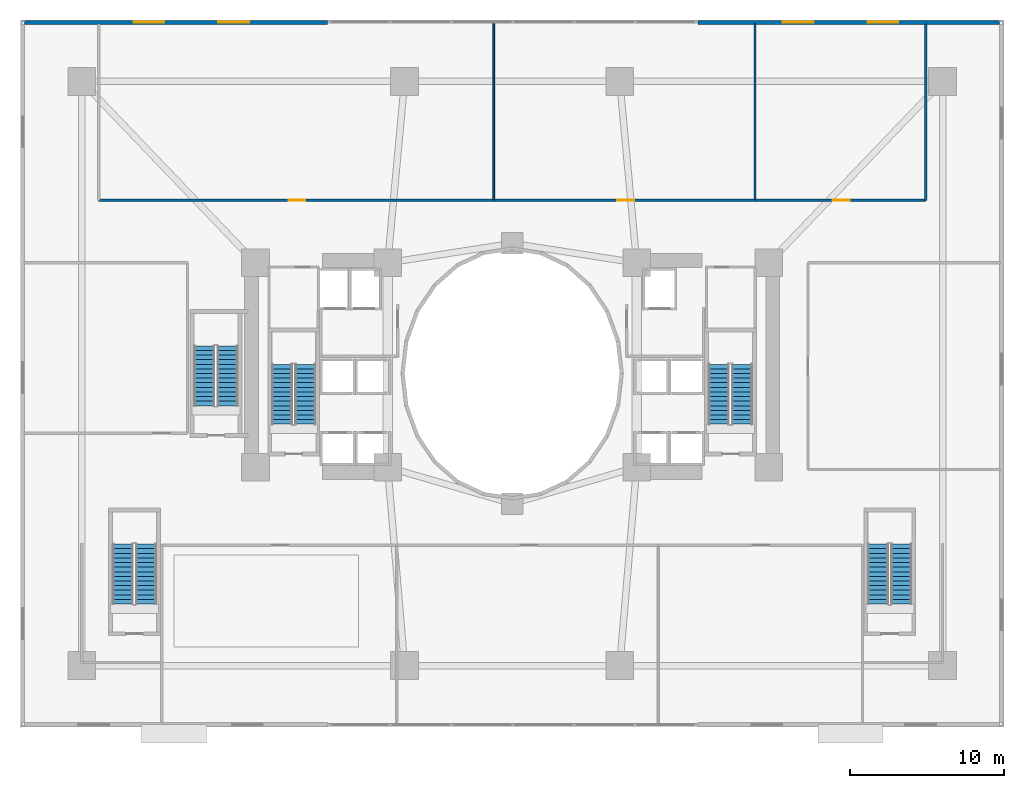
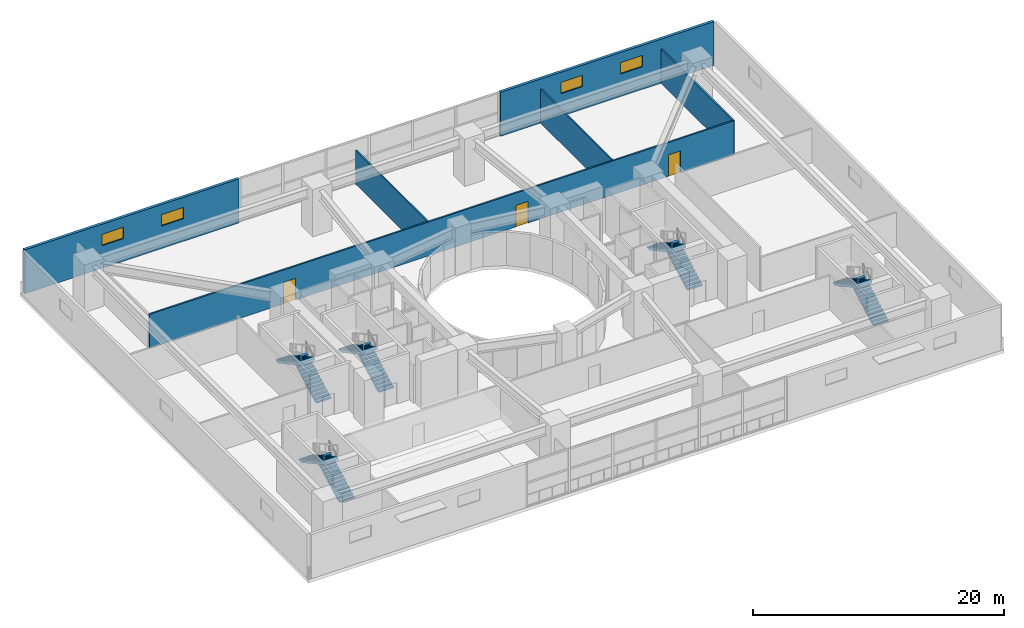
# One storey, part 14 of 20: 10 stair flights, 6 walls, 4 windows, 3 doors, 7 openings, 5 elements without a shape of their own.
"""IFC4 building model written with IfcOpenShell, lengths in metres."""

import ifcopenshell
import ifcopenshell.guid

model = None  # the IFC model being written
_history = None  # IfcOwnerHistory: only IFC2X3 demands one
_inside = {}  # id of a spatial element -> (the spatial element, [elements in it])
_under = {}  # id of a project, library or spatial element -> (it, [spatial elements below it])
_declared = {}  # id of a project -> (the project, [libraries it declares])
_typed = {}  # id of a type object -> (the type object, [elements of that type])
_made_of = {}  # id of a material, layer set ... -> (it, [elements and type objects made of it])


def new_model(schema):
    """Start an empty IFC model of exactly this schema.

    Asked for "IFC4X3", IfcOpenShell would pick the latest addendum, in which some entities
    have other attributes; the version numbers below select the first issue.
    IFC2X3 requires an IfcOwnerHistory on every rooted entity: one is made here for all.
    """
    global model, _history
    if schema == "IFC4X3":
        model = ifcopenshell.file(schema_version=(4, 3, 0, 0))
    else:
        model = ifcopenshell.file(schema=schema)
    _inside.clear()
    _under.clear()
    _declared.clear()
    _typed.clear()
    _made_of.clear()
    _history = None
    if model.schema == "IFC2X3":
        org = make("IfcOrganization", Name="unknown")
        user = make(
            "IfcPersonAndOrganization",
            ThePerson=make("IfcPerson", FamilyName="unknown"),
            TheOrganization=org,
        )
        app = make(
            "IfcApplication",
            ApplicationDeveloper=org,
            Version="unknown",
            ApplicationFullName="unknown",
            ApplicationIdentifier="unknown",
        )
        _history = make(
            "IfcOwnerHistory",
            OwningUser=user,
            OwningApplication=app,
            ChangeAction="ADDED",
            CreationDate=0,
        )
    return model


def make(cls, **values):
    """One entity of the class cls with the attributes given. An attribute that is None is left unset."""
    return model.create_entity(
        cls, **{name: value for name, value in values.items() if value is not None}
    )


def rooted(cls, **values):
    """An entity with a GlobalId (a new one), such as an element, a storey or a relation."""
    return make(cls, GlobalId=ifcopenshell.guid.new(), OwnerHistory=_history, **values)


def si_unit(unit_type, name, prefix=None):
    """IfcSIUnit, for example si_unit("LENGTHUNIT", "METRE", prefix="MILLI")."""
    return make("IfcSIUnit", UnitType=unit_type, Prefix=prefix, Name=name)


def assignment(units):
    """IfcUnitAssignment: the units of a project."""
    return None if units is None else make("IfcUnitAssignment", Units=units)


def point(xyz):
    """IfcCartesianPoint."""
    return None if xyz is None else make("IfcCartesianPoint", Coordinates=xyz)


def direction(xyz):
    """IfcDirection."""
    return None if xyz is None else make("IfcDirection", DirectionRatios=xyz)


def frame(location, z_axis=None, x_axis=None):
    """IfcAxis2Placement3D, a coordinate frame: its origin and axes. An axis left out is left unset."""
    return make(
        "IfcAxis2Placement3D",
        Location=point(location),
        Axis=direction(z_axis),
        RefDirection=direction(x_axis),
    )


def frame_2d(location, x_axis=None):
    """IfcAxis2Placement2D, a coordinate frame in the plane: its origin and x axis."""
    return make(
        "IfcAxis2Placement2D", Location=point(location), RefDirection=direction(x_axis)
    )


def origin():
    """The frame at (0, 0, 0) with its axes left unset."""
    return frame((0.0, 0.0, 0.0))


def place(relative_to, where):
    """IfcLocalPlacement: puts the frame where relative to a parent placement (None: the world)."""
    return make(
        "IfcLocalPlacement", PlacementRelTo=relative_to, RelativePlacement=where
    )


def context(
    kind, dimensions, precision=None, world=None, true_north=None, identifier=None
):
    """IfcGeometricRepresentationContext, for example the 3D "Model" context."""
    return make(
        "IfcGeometricRepresentationContext",
        ContextIdentifier=identifier,
        ContextType=kind,
        CoordinateSpaceDimension=dimensions,
        Precision=precision,
        WorldCoordinateSystem=world,
        TrueNorth=true_north,
    )


def subcontext(parent, identifier, kind, view, scale=None):
    """IfcGeometricRepresentationSubContext, for example "Body" below "Model"."""
    return make(
        "IfcGeometricRepresentationSubContext",
        ContextIdentifier=identifier,
        ContextType=kind,
        ParentContext=parent,
        TargetScale=scale,
        TargetView=view,
    )


def project(units=None, contexts=None):
    """IfcProject with its units and contexts."""
    return rooted(
        "IfcProject",
        Name="project",
        RepresentationContexts=contexts,
        UnitsInContext=assignment(units),
    )


def spatial(cls, under=None, at=None, **own):
    """A site, building, storey or space (cls), placed at a placement, below another one or the project."""
    s = rooted(cls, ObjectPlacement=at, **own)
    if under is not None:
        _under.setdefault(under.id(), (under, []))[1].append(s)
    return s


def polyline(points):
    """IfcPolyline through the points."""
    return make("IfcPolyline", Points=[point(p) for p in points])


def profile(cls, at=None, kind="AREA", **sizes):
    """A parametric profile (cls). Its sizes go by their IFC names, for example OverallWidth=200.0."""
    return make(cls, ProfileType=kind, Position=at, **sizes)


def rectangle(**sizes):
    """IfcRectangleProfileDef."""
    return profile("IfcRectangleProfileDef", **sizes)


def outline(outer, holes=None, kind="AREA"):
    """IfcArbitraryClosedProfileDef: a profile drawn as a closed curve; with holes, ...WithVoids."""
    if holes is None:
        return make("IfcArbitraryClosedProfileDef", ProfileType=kind, OuterCurve=outer)
    return make(
        "IfcArbitraryProfileDefWithVoids",
        ProfileType=kind,
        OuterCurve=outer,
        InnerCurves=holes,
    )


def extrude(swept, where, along, depth):
    """IfcExtrudedAreaSolid: the profile swept, set in the frame where, extruded along a direction by depth."""
    return make(
        "IfcExtrudedAreaSolid",
        SweptArea=swept,
        Position=where,
        ExtrudedDirection=direction(along),
        Depth=depth,
    )


def shape(context_of_items, identifier, shape_type, items):
    """IfcShapeRepresentation: the items that make up one representation, for example the "Body"."""
    return make(
        "IfcShapeRepresentation",
        ContextOfItems=context_of_items,
        RepresentationIdentifier=identifier,
        RepresentationType=shape_type,
        Items=items,
    )


def material(Name=None, Category=None):
    """IfcMaterial."""
    return make("IfcMaterial", Name=Name, Category=Category)


def layer(
    of_material, thickness, ventilated=None, Name=None, Category=None, Priority=None
):
    """IfcMaterialLayer: one layer of a wall or slab, of a material (None: an air gap)."""
    return make(
        "IfcMaterialLayer",
        Material=of_material,
        LayerThickness=thickness,
        IsVentilated=ventilated,
        Name=Name,
        Category=Category,
        Priority=Priority,
    )


def layer_set(layers, Name=None):
    """IfcMaterialLayerSet."""
    return make("IfcMaterialLayerSet", MaterialLayers=layers, LayerSetName=Name)


def made_of(thing, what):
    """Note that an element or type object is made of a material, layer set ...; save() writes the relation."""
    if what is not None:
        _made_of.setdefault(what.id(), (what, []))[1].append(thing)
    return thing


def type_object(cls, material=None, **own):
    """A type object (cls), such as IfcWallType, which elements share."""
    return made_of(rooted(cls, **own), material)


def element(
    cls,
    number,
    at=None,
    inside=None,
    cuts=None,
    type_object=None,
    material=None,
    context=None,
    identifier="Body",
    shape_type=None,
    held_by="IfcProductDefinitionShape",
    body=None,
    shapes=None,
    **own,
):
    """One element of the class cls, such as IfcWall. Its Tag is "e" and its number.

    at: its placement. inside: the storey or other place that contains it. cuts: it is an
    opening in that element (IfcRelVoidsElement). A single representation is given by context,
    identifier, shape_type and body (its items); several are given by shapes. held_by: the class
    of the entity that holds the representations. save() writes the other relations.
    """
    e = rooted(cls, Tag="e%d" % number, ObjectPlacement=at, **own)
    if body is not None:
        shapes = [shape(context, identifier, shape_type, body)]
    if shapes is not None:
        e.Representation = make(held_by, Representations=shapes)
    if inside is not None:
        _inside.setdefault(inside.id(), (inside, []))[1].append(e)
    if cuts is not None:
        rooted(
            "IfcRelVoidsElement", RelatingBuildingElement=cuts, RelatedOpeningElement=e
        )
    if type_object is not None:
        _typed.setdefault(type_object.id(), (type_object, []))[1].append(e)
    return made_of(e, material)


def fill(opening, filler):
    """IfcRelFillsElement: the door or window that sits in an opening."""
    return rooted(
        "IfcRelFillsElement",
        RelatingOpeningElement=opening,
        RelatedBuildingElement=filler,
    )


def aggregate(whole, parts):
    """IfcRelAggregates: a whole, such as a stair, and the parts it consists of."""
    return rooted("IfcRelAggregates", RelatingObject=whole, RelatedObjects=parts)


def save(model, path):
    """Write the relations noted so far, then the file.

    IfcRelAggregates (storeys below a building ...), IfcRelContainedInSpatialStructure (elements
    in a storey), IfcRelDefinesByType, IfcRelAssociatesMaterial and IfcRelDeclares: one each for
    every whole, place, type object, material and project.
    """
    for whole, parts in _under.values():
        aggregate(whole, parts)
    for where, things in _inside.values():
        rooted(
            "IfcRelContainedInSpatialStructure",
            RelatedElements=things,
            RelatingStructure=where,
        )
    for kind, things in _typed.values():
        rooted("IfcRelDefinesByType", RelatedObjects=things, RelatingType=kind)
    for what, things in _made_of.values():
        rooted("IfcRelAssociatesMaterial", RelatedObjects=things, RelatingMaterial=what)
    for by, libraries in _declared.values():
        rooted("IfcRelDeclares", RelatingContext=by, RelatedDefinitions=libraries)
    model.write(path)


model = new_model("IFC4")

# Units and contexts
model_context = context("Model", 3, precision=1e-05, world=origin(), true_north=direction((0.0, 1.0)))
body_context = subcontext(model_context, "Body", "Model", "MODEL_VIEW")
ifc_project = project(units=[si_unit("LENGTHUNIT", "METRE"), si_unit("AREAUNIT", "SQUARE_METRE"), si_unit("VOLUMEUNIT", "CUBIC_METRE"), si_unit("PLANEANGLEUNIT", "RADIAN"), si_unit("MASSUNIT", "GRAM", prefix="KILO")], contexts=[model_context])

# Site, building, storey
site_placement = place(None, origin())
site = spatial("IfcSite", under=ifc_project, at=site_placement, CompositionType="ELEMENT")
building_placement = place(site_placement, origin())
building = spatial("IfcBuilding", under=site, at=building_placement, Name="Solvane Sanctuary Tower", CompositionType="ELEMENT")
storey_placement = place(building_placement, frame((0.0, 0.0, 9.199951171875)))
storey = spatial("IfcBuildingStorey", under=building, at=storey_placement, Name="L03", CompositionType="ELEMENT", Elevation=9.199951171875)

# Wall, openings, doors
ifc_material_1 = material(Name="Acoustic Gypsum Partition Board")
ifc_layer_1 = layer(ifc_material_1, 0.14990234375, Name="Acoustic Gypsum Partition Board")
ifc_layer_set_1 = layer_set([ifc_layer_1], Name="Acoustic Gypsum Partition Board")
wall_type_1 = type_object("IfcWallType", Name="Wall W-CORR-150", PredefinedType="PARTITIONING", material=ifc_layer_set_1)
wall_1_placement = place(storey_placement, frame((5.10009765625, 34.27001953125, 0.0), z_axis=(0.0, 0.0, 1.0), x_axis=(1.0, 0.0, 0.0)))
wall_1 = element("IfcWall", 1, at=wall_1_placement, inside=storey, type_object=wall_type_1, Name="L03 North Sanctuary Corridor Wall", PredefinedType="PARTITIONING", context=body_context, shape_type="SweptSolid", body=[
    extrude(rectangle(XDim=53.7998046875, YDim=0.14990234375, at=frame_2d((26.89990234375, 0.0))), origin(), (0.0, 0.0, 1.0), 3.300048828125),
])
opening_1_placement = place(wall_1_placement, frame((12.35009765625, 0.0, 0.0)))
opening_1 = element("IfcOpeningElement", 2, at=opening_1_placement, cuts=wall_1, Name="Opening D-L03-11", PredefinedType="OPENING", context=body_context, shape_type="SweptSolid", body=[
    extrude(rectangle(XDim=1.10009765625, YDim=2.10009765625, at=frame_2d((0.550048828125, 1.050048828125))), frame((0.0, 0.0849609375, 0.0), z_axis=(0.0, -1.0, 0.0), x_axis=(1.0, 0.0, 0.0)), (0.0, 0.0, 1.0), 0.169921875),
])
opening_2_placement = place(wall_1_placement, frame((33.75, 0.0, 0.0)))
opening_2 = element("IfcOpeningElement", 3, at=opening_2_placement, cuts=wall_1, Name="Opening D-L03-12", PredefinedType="OPENING", context=body_context, shape_type="SweptSolid", body=[
    extrude(rectangle(XDim=1.10009765625, YDim=2.10009765625, at=frame_2d((0.550048828125, 1.050048828125))), frame((0.0, 0.0849609375, 0.0), z_axis=(0.0, -1.0, 0.0), x_axis=(1.0, 0.0, 0.0)), (0.0, 0.0, 1.0), 0.169921875),
])
opening_3_placement = place(wall_1_placement, frame((47.75, 0.0, 0.0)))
opening_3 = element("IfcOpeningElement", 4, at=opening_3_placement, cuts=wall_1, Name="Opening D-L03-13", PredefinedType="OPENING", context=body_context, shape_type="SweptSolid", body=[
    extrude(rectangle(XDim=1.10009765625, YDim=2.10009765625, at=frame_2d((0.550048828125, 1.050048828125))), frame((0.0, 0.0849609375, 0.0), z_axis=(0.0, -1.0, 0.0), x_axis=(1.0, 0.0, 0.0)), (0.0, 0.0, 1.0), 0.169921875),
])
ifc_material_2 = material(Name="Architectural Stainless Steel 316", Category="steel")
door_type = type_object("IfcDoorType", Name="Door D-FFL", OperationType="NOTDEFINED", PredefinedType="DOOR", material=ifc_material_2)
door_1_placement = place(opening_1_placement, origin())
door_1 = element("IfcDoor", 5, at=door_1_placement, inside=storey, type_object=door_type, Name="L03 LIBR Hall Door", OperationType="SINGLE_SWING_LEFT", OverallHeight=2.10009765625, OverallWidth=1.10009765625, PredefinedType="DOOR", context=body_context, shape_type="SweptSolid", body=[
    extrude(rectangle(XDim=1.10009765625, YDim=2.10009765625, at=frame_2d((0.550048828125, 1.050048828125))), frame((0.0, 0.02490234375, 0.0), z_axis=(0.0, -1.0, 0.0), x_axis=(1.0, 0.0, 0.0)), (0.0, 0.0, 1.0), 0.050048828125),
])
fill(opening_1, door_1)
door_2_placement = place(opening_2_placement, origin())
door_2 = element("IfcDoor", 6, at=door_2_placement, inside=storey, type_object=door_type, Name="L03 ARCH Hall Door", OperationType="SINGLE_SWING_RIGHT", OverallHeight=2.10009765625, OverallWidth=1.10009765625, PredefinedType="DOOR", context=body_context, shape_type="SweptSolid", body=[
    extrude(rectangle(XDim=1.10009765625, YDim=2.10009765625, at=frame_2d((0.550048828125, 1.050048828125))), frame((0.0, 0.02490234375, 0.0), z_axis=(0.0, -1.0, 0.0), x_axis=(1.0, 0.0, 0.0)), (0.0, 0.0, 1.0), 0.050048828125),
])
fill(opening_2, door_2)
door_3_placement = place(opening_3_placement, origin())
door_3 = element("IfcDoor", 7, at=door_3_placement, inside=storey, type_object=door_type, Name="L03 SEMIN Hall Door", OperationType="SINGLE_SWING_LEFT", OverallHeight=2.10009765625, OverallWidth=1.10009765625, PredefinedType="DOOR", context=body_context, shape_type="SweptSolid", body=[
    extrude(rectangle(XDim=1.10009765625, YDim=2.10009765625, at=frame_2d((0.550048828125, 1.050048828125))), frame((0.0, 0.02490234375, 0.0), z_axis=(0.0, -1.0, 0.0), x_axis=(1.0, 0.0, 0.0)), (0.0, 0.0, 1.0), 0.050048828125),
])
fill(opening_3, door_3)

# Wall
wall_2_placement = place(storey_placement, frame((58.89990234375, 34.27001953125, 0.0), z_axis=(0.0, 0.0, 1.0), x_axis=(0.0, 1.0, 0.0)))
element("IfcWall", 8, at=wall_2_placement, inside=storey, type_object=wall_type_1, Name="L03 North Hall East Wall", PredefinedType="PARTITIONING", context=body_context, shape_type="SweptSolid", body=[
    extrude(rectangle(XDim=11.47998046875, YDim=0.14990234375, at=frame_2d((5.739990234375, 0.0))), origin(), (0.0, 0.0, 1.0), 3.300048828125),
])

# Wall, openings, windows
ifc_material_3 = material(Name="Precast concrete C40/50", Category="concrete")
ifc_layer_2 = layer(ifc_material_3, 0.260009765625, Name="Precast concrete C40/50")
ifc_layer_set_2 = layer_set([ifc_layer_2], Name="Precast concrete C40/50")
wall_type_2 = type_object("IfcWallType", Name="Wall W-EXT-250", PredefinedType="STANDARD", material=ifc_layer_set_2)
wall_3_placement = place(storey_placement, frame((63.719970703125, 45.85009765625, 0.0), z_axis=(0.0, 0.0, 1.0), x_axis=(-1.0, 0.0, 0.0)))
wall_3 = element("IfcWall", 9, at=wall_3_placement, inside=storey, type_object=wall_type_2, Name="L03 Podium Facade Wall N1", PredefinedType="STANDARD", context=body_context, shape_type="SweptSolid", body=[
    extrude(rectangle(XDim=19.639892578125, YDim=0.260009765625, at=frame_2d((9.81982421875, 0.0))), origin(), (0.0, 0.0, 1.0), 4.280029296875),
])
opening_4_placement = place(wall_3_placement, frame((6.60009765625, 0.0, 2.199951171875)))
opening_4 = element("IfcOpeningElement", 10, at=opening_4_placement, cuts=wall_3, Name="Opening WN-CLER-2000", PredefinedType="OPENING", context=body_context, shape_type="SweptSolid", body=[
    extrude(rectangle(XDim=2.0, YDim=1.10009765625, at=frame_2d((1.0, 0.550048828125))), frame((0.0, 0.139892578125, 0.0), z_axis=(0.0, -1.0, 0.0), x_axis=(1.0, 0.0, 0.0)), (0.0, 0.0, 1.0), 0.280029296875),
])
opening_5_placement = place(wall_3_placement, frame((12.10009765625, 0.0, 2.199951171875)))
opening_5 = element("IfcOpeningElement", 11, at=opening_5_placement, cuts=wall_3, Name="Opening WN-CLER-2000", PredefinedType="OPENING", context=body_context, shape_type="SweptSolid", body=[
    extrude(rectangle(XDim=2.0, YDim=1.10009765625, at=frame_2d((1.0, 0.550048828125))), frame((0.0, 0.139892578125, 0.0), z_axis=(0.0, -1.0, 0.0), x_axis=(1.0, 0.0, 0.0)), (0.0, 0.0, 1.0), 0.280029296875),
])
ifc_material_4 = material(Name="Dark Ceramic-Fritted Low-E Glass", Category="glass")
window_type = type_object("IfcWindowType", Name="Window WN-CLER-2000", PartitioningType="SINGLE_PANEL", PredefinedType="WINDOW", material=ifc_material_4)
window_1_placement = place(opening_4_placement, origin())
window_1 = element("IfcWindow", 12, at=window_1_placement, inside=storey, type_object=window_type, Name="L03 Podium Window N1-6", OverallHeight=1.10009765625, OverallWidth=2.0, PartitioningType="SINGLE_PANEL", PredefinedType="WINDOW", context=body_context, shape_type="SweptSolid", body=[
    extrude(rectangle(XDim=2.0, YDim=1.10009765625, at=frame_2d((1.0, 0.550048828125))), frame((0.0, 0.030029296875, 0.0), z_axis=(0.0, -1.0, 0.0), x_axis=(1.0, 0.0, 0.0)), (0.0, 0.0, 1.0), 0.06005859375),
])
fill(opening_4, window_1)
window_2_placement = place(opening_5_placement, origin())
window_2 = element("IfcWindow", 13, at=window_2_placement, inside=storey, type_object=window_type, Name="L03 Podium Window N1-12", OverallHeight=1.10009765625, OverallWidth=2.0, PartitioningType="SINGLE_PANEL", PredefinedType="WINDOW", context=body_context, shape_type="SweptSolid", body=[
    extrude(rectangle(XDim=2.0, YDim=1.10009765625, at=frame_2d((1.0, 0.550048828125))), frame((0.0, 0.030029296875, 0.0), z_axis=(0.0, -1.0, 0.0), x_axis=(1.0, 0.0, 0.0)), (0.0, 0.0, 1.0), 0.06005859375),
])
fill(opening_5, window_2)

wall_4_placement = place(storey_placement, frame((20.0, 45.85009765625, 0.0), z_axis=(0.0, 0.0, 1.0), x_axis=(-1.0, 0.0, 0.0)))
wall_4 = element("IfcWall", 14, at=wall_4_placement, inside=storey, type_object=wall_type_2, Name="L03 Podium Facade Wall N3", PredefinedType="STANDARD", context=body_context, shape_type="SweptSolid", body=[
    extrude(rectangle(XDim=19.719970703125, YDim=0.260009765625, at=frame_2d((9.85986328125, 0.0))), origin(), (0.0, 0.0, 1.0), 4.280029296875),
])
opening_6_placement = place(wall_4_placement, frame((5.1201171875, 0.0, 2.199951171875)))
opening_6 = element("IfcOpeningElement", 15, at=opening_6_placement, cuts=wall_4, Name="Opening WN-CLER-2000", PredefinedType="OPENING", context=body_context, shape_type="SweptSolid", body=[
    extrude(rectangle(XDim=2.0, YDim=1.10009765625, at=frame_2d((1.0, 0.550048828125))), frame((0.0, 0.139892578125, 0.0), z_axis=(0.0, -1.0, 0.0), x_axis=(1.0, 0.0, 0.0)), (0.0, 0.0, 1.0), 0.280029296875),
])
opening_7_placement = place(wall_4_placement, frame((10.6201171875, 0.0, 2.199951171875)))
opening_7 = element("IfcOpeningElement", 16, at=opening_7_placement, cuts=wall_4, Name="Opening WN-CLER-2000", PredefinedType="OPENING", context=body_context, shape_type="SweptSolid", body=[
    extrude(rectangle(XDim=2.0, YDim=1.10009765625, at=frame_2d((1.0, 0.550048828125))), frame((0.0, 0.139892578125, 0.0), z_axis=(0.0, -1.0, 0.0), x_axis=(1.0, 0.0, 0.0)), (0.0, 0.0, 1.0), 0.280029296875),
])
window_3_placement = place(opening_6_placement, origin())
window_3 = element("IfcWindow", 17, at=window_3_placement, inside=storey, type_object=window_type, Name="L03 Podium Window N3-5", OverallHeight=1.10009765625, OverallWidth=2.0, PartitioningType="SINGLE_PANEL", PredefinedType="WINDOW", context=body_context, shape_type="SweptSolid", body=[
    extrude(rectangle(XDim=2.0, YDim=1.10009765625, at=frame_2d((1.0, 0.550048828125))), frame((0.0, 0.030029296875, 0.0), z_axis=(0.0, -1.0, 0.0), x_axis=(1.0, 0.0, 0.0)), (0.0, 0.0, 1.0), 0.06005859375),
])
fill(opening_6, window_3)
window_4_placement = place(opening_7_placement, origin())
window_4 = element("IfcWindow", 18, at=window_4_placement, inside=storey, type_object=window_type, Name="L03 Podium Window N3-10", OverallHeight=1.10009765625, OverallWidth=2.0, PartitioningType="SINGLE_PANEL", PredefinedType="WINDOW", context=body_context, shape_type="SweptSolid", body=[
    extrude(rectangle(XDim=2.0, YDim=1.10009765625, at=frame_2d((1.0, 0.550048828125))), frame((0.0, 0.030029296875, 0.0), z_axis=(0.0, -1.0, 0.0), x_axis=(1.0, 0.0, 0.0)), (0.0, 0.0, 1.0), 0.06005859375),
])
fill(opening_7, window_4)

# Walls
ifc_layer_3 = layer(ifc_material_1, 0.1201171875, Name="Acoustic Gypsum Partition Board")
ifc_layer_set_3 = layer_set([ifc_layer_3], Name="Acoustic Gypsum Partition Board")
wall_type_3 = type_object("IfcWallType", Name="Wall W-MOV-100", PredefinedType="MOVABLE", material=ifc_layer_set_3)
for number, where, z_axis, x_axis, name in (
    (19, (30.800048828125, 34.320068359375, 0.0), (0.0, 0.0, 1.0), (0.0, 1.0, 0.0), "L03 Hall Dividing Partition LIBR"),
    (20, (47.800048828125, 34.320068359375, 0.0), (0.0, 0.0, 1.0), (0.0, 1.0, 0.0), "L03 Hall Dividing Partition ARCH"),
):
    element("IfcWall", number, at=place(storey_placement, frame(where, z_axis=z_axis, x_axis=x_axis)), inside=storey, type_object=wall_type_3, Name=name, PredefinedType="MOVABLE", context=body_context, shape_type="SweptSolid", body=[
        extrude(rectangle(XDim=11.429931640625, YDim=0.1201171875, at=frame_2d((5.71484375, 0.0))), origin(), (0.0, 0.0, 1.0), 3.300048828125),
    ])

# Stair, stair flights
ifc_material_5 = material(Name="Concrete C50/60", Category="concrete")
stair_type_1 = type_object("IfcStairType", Name="Stair ST-METRO", PredefinedType="HALF_TURN_STAIR", material=ifc_material_5)
stair_1_placement = place(storey_placement, origin())
stair_1 = element("IfcStair", 21, at=stair_1_placement, inside=storey, type_object=stair_type_1, Name="L03 Exit Stair ST-5 Metro East Stair", PredefinedType="HALF_TURN_STAIR")
stair_flight_type_1 = type_object("IfcStairFlightType", Name="StairFlight SF-METRO", PredefinedType="STRAIGHT", material=ifc_material_5)
stair_flight_1_placement = place(storey_placement, frame((57.324951171875, 8.0, 0.0), z_axis=(0.0, 0.0, 1.0), x_axis=(0.0, 1.0, 0.0)))
stair_flight_1 = element("IfcStairFlight", 22, at=stair_flight_1_placement, type_object=stair_flight_type_1, Name="ST-5 flight 1", NumberOfRisers=14, NumberOfTreads=13, PredefinedType="STRAIGHT", RiserHeight=0.164285714, TreadLength=0.3, context=body_context, shape_type="SweptSolid", body=[
    extrude(outline(polyline([(0.0, 0.0), (0.0, 0.164306640625), (0.300048828125, 0.164306640625), (0.300048828125, 0.32861328125), (0.60009765625, 0.32861328125), (0.60009765625, 0.492919921875), (0.89990234375, 0.492919921875), (0.89990234375, 0.6572265625), (1.199951171875, 0.6572265625), (1.199951171875, 0.821533203125), (1.5, 0.821533203125), (1.5, 0.985595703125), (1.800048828125, 0.985595703125), (1.800048828125, 1.14990234375), (2.10009765625, 1.14990234375), (2.10009765625, 1.314208984375), (2.39990234375, 1.314208984375), (2.39990234375, 1.478515625), (2.699951171875, 1.478515625), (2.699951171875, 1.642822265625), (3.0, 1.642822265625), (3.0, 1.80712890625), (3.300048828125, 1.80712890625), (3.300048828125, 1.971435546875), (3.60009765625, 1.971435546875), (3.60009765625, 2.1357421875), (3.89990234375, 2.1357421875), (3.89990234375, 2.300048828125), (3.89990234375, 1.9306640625), (0.37451171875, 0.0), (0.0, 0.0)])), frame((0.0, 0.675048828125, 0.0), z_axis=(0.0, -1.0, 0.0), x_axis=(1.0, 0.0, 0.0)), (0.0, 0.0, 1.0), 1.35009765625),
])
stair_flight_2_placement = place(storey_placement, frame((55.81494140625, 11.89990234375, 2.300048828125), z_axis=(0.0, 0.0, 1.0), x_axis=(0.0, -1.0, 0.0)))
stair_flight_2 = element("IfcStairFlight", 23, at=stair_flight_2_placement, type_object=stair_flight_type_1, Name="ST-5 flight 2", NumberOfRisers=14, NumberOfTreads=13, PredefinedType="STRAIGHT", RiserHeight=0.164285714, TreadLength=0.3, context=body_context, shape_type="SweptSolid", body=[
    extrude(outline(polyline([(0.0, 0.0), (0.0, 0.164306640625), (0.300048828125, 0.164306640625), (0.300048828125, 0.32861328125), (0.60009765625, 0.32861328125), (0.60009765625, 0.492919921875), (0.89990234375, 0.492919921875), (0.89990234375, 0.6572265625), (1.199951171875, 0.6572265625), (1.199951171875, 0.821533203125), (1.5, 0.821533203125), (1.5, 0.985595703125), (1.800048828125, 0.985595703125), (1.800048828125, 1.14990234375), (2.10009765625, 1.14990234375), (2.10009765625, 1.314208984375), (2.39990234375, 1.314208984375), (2.39990234375, 1.478515625), (2.699951171875, 1.478515625), (2.699951171875, 1.642822265625), (3.0, 1.642822265625), (3.0, 1.80712890625), (3.300048828125, 1.80712890625), (3.300048828125, 1.971435546875), (3.60009765625, 1.971435546875), (3.60009765625, 2.1357421875), (3.89990234375, 2.1357421875), (3.89990234375, 2.300048828125), (3.89990234375, 1.9306640625), (0.37451171875, 0.0), (0.0, 0.0)])), frame((0.0, 0.675048828125, 0.0), z_axis=(0.0, -1.0, 0.0), x_axis=(1.0, 0.0, 0.0)), (0.0, 0.0, 1.0), 1.35009765625),
])
aggregate(stair_1, [stair_flight_1, stair_flight_2])

stair_type_2 = type_object("IfcStairType", Name="Stair ST-POD", PredefinedType="HALF_TURN_STAIR", material=ifc_material_5)
stair_2_placement = place(storey_placement, origin())
stair_2 = element("IfcStair", 24, at=stair_2_placement, inside=storey, type_object=stair_type_2, Name="L03 Exit Stair ST-4 Metro West Stair", PredefinedType="HALF_TURN_STAIR")
stair_flight_type_2 = type_object("IfcStairFlightType", Name="StairFlight SF-POD", PredefinedType="STRAIGHT", material=ifc_material_5)
stair_flight_3_placement = place(storey_placement, frame((8.18505859375, 8.0, 0.0), z_axis=(0.0, 0.0, 1.0), x_axis=(0.0, 1.0, 0.0)))
stair_flight_3 = element("IfcStairFlight", 25, at=stair_flight_3_placement, type_object=stair_flight_type_2, Name="ST-4 flight 1", NumberOfRisers=14, NumberOfTreads=13, PredefinedType="STRAIGHT", RiserHeight=0.164285714, TreadLength=0.3, context=body_context, shape_type="SweptSolid", body=[
    extrude(outline(polyline([(0.0, 0.0), (0.0, 0.164306640625), (0.300048828125, 0.164306640625), (0.300048828125, 0.32861328125), (0.60009765625, 0.32861328125), (0.60009765625, 0.492919921875), (0.89990234375, 0.492919921875), (0.89990234375, 0.6572265625), (1.199951171875, 0.6572265625), (1.199951171875, 0.821533203125), (1.5, 0.821533203125), (1.5, 0.985595703125), (1.800048828125, 0.985595703125), (1.800048828125, 1.14990234375), (2.10009765625, 1.14990234375), (2.10009765625, 1.314208984375), (2.39990234375, 1.314208984375), (2.39990234375, 1.478515625), (2.699951171875, 1.478515625), (2.699951171875, 1.642822265625), (3.0, 1.642822265625), (3.0, 1.80712890625), (3.300048828125, 1.80712890625), (3.300048828125, 1.971435546875), (3.60009765625, 1.971435546875), (3.60009765625, 2.1357421875), (3.89990234375, 2.1357421875), (3.89990234375, 2.300048828125), (3.89990234375, 1.9306640625), (0.37451171875, 0.0), (0.0, 0.0)])), frame((0.0, 0.675048828125, 0.0), z_axis=(0.0, -1.0, 0.0), x_axis=(1.0, 0.0, 0.0)), (0.0, 0.0, 1.0), 1.35009765625),
])
stair_flight_4_placement = place(storey_placement, frame((6.675048828125, 11.89990234375, 2.300048828125), z_axis=(0.0, 0.0, 1.0), x_axis=(0.0, -1.0, 0.0)))
stair_flight_4 = element("IfcStairFlight", 26, at=stair_flight_4_placement, type_object=stair_flight_type_2, Name="ST-4 flight 2", NumberOfRisers=14, NumberOfTreads=13, PredefinedType="STRAIGHT", RiserHeight=0.164285714, TreadLength=0.3, context=body_context, shape_type="SweptSolid", body=[
    extrude(outline(polyline([(0.0, 0.0), (0.0, 0.164306640625), (0.300048828125, 0.164306640625), (0.300048828125, 0.32861328125), (0.60009765625, 0.32861328125), (0.60009765625, 0.492919921875), (0.89990234375, 0.492919921875), (0.89990234375, 0.6572265625), (1.199951171875, 0.6572265625), (1.199951171875, 0.821533203125), (1.5, 0.821533203125), (1.5, 0.985595703125), (1.800048828125, 0.985595703125), (1.800048828125, 1.14990234375), (2.10009765625, 1.14990234375), (2.10009765625, 1.314208984375), (2.39990234375, 1.314208984375), (2.39990234375, 1.478515625), (2.699951171875, 1.478515625), (2.699951171875, 1.642822265625), (3.0, 1.642822265625), (3.0, 1.80712890625), (3.300048828125, 1.80712890625), (3.300048828125, 1.971435546875), (3.60009765625, 1.971435546875), (3.60009765625, 2.1357421875), (3.89990234375, 2.1357421875), (3.89990234375, 2.300048828125), (3.89990234375, 1.9306640625), (0.37451171875, 0.0), (0.0, 0.0)])), frame((0.0, 0.675048828125, 0.0), z_axis=(0.0, -1.0, 0.0), x_axis=(1.0, 0.0, 0.0)), (0.0, 0.0, 1.0), 1.35009765625),
])
aggregate(stair_2, [stair_flight_3, stair_flight_4])

ifc_material_6 = material(Name="Concrete C45/55", Category="concrete")
stair_type_3 = type_object("IfcStairType", Name="Stair ST-TOW", PredefinedType="HALF_TURN_STAIR", material=ifc_material_6)
stair_3_placement = place(storey_placement, origin())
stair_3 = element("IfcStair", 27, at=stair_3_placement, inside=storey, type_object=stair_type_3, Name="L03 Exit Stair ST-1 West Core", PredefinedType="HALF_TURN_STAIR")
stair_flight_type_3 = type_object("IfcStairFlightType", Name="StairFlight SF-TOW", PredefinedType="STRAIGHT", material=ifc_material_6)
stair_flight_5_placement = place(storey_placement, frame((18.544921875, 19.699951171875, 0.0), z_axis=(0.0, 0.0, 1.0), x_axis=(0.0, 1.0, 0.0)))
stair_flight_5 = element("IfcStairFlight", 28, at=stair_flight_5_placement, type_object=stair_flight_type_3, Name="ST-1 flight 1", NumberOfRisers=14, NumberOfTreads=13, PredefinedType="STRAIGHT", RiserHeight=0.164285714, TreadLength=0.3, context=body_context, shape_type="SweptSolid", body=[
    extrude(outline(polyline([(0.0, 0.0), (0.0, 0.164306640625), (0.300048828125, 0.164306640625), (0.300048828125, 0.32861328125), (0.60009765625, 0.32861328125), (0.60009765625, 0.492919921875), (0.89990234375, 0.492919921875), (0.89990234375, 0.6572265625), (1.199951171875, 0.6572265625), (1.199951171875, 0.821533203125), (1.5, 0.821533203125), (1.5, 0.985595703125), (1.800048828125, 0.985595703125), (1.800048828125, 1.14990234375), (2.10009765625, 1.14990234375), (2.10009765625, 1.314208984375), (2.39990234375, 1.314208984375), (2.39990234375, 1.478515625), (2.699951171875, 1.478515625), (2.699951171875, 1.642822265625), (3.0, 1.642822265625), (3.0, 1.80712890625), (3.300048828125, 1.80712890625), (3.300048828125, 1.971435546875), (3.60009765625, 1.971435546875), (3.60009765625, 2.1357421875), (3.89990234375, 2.1357421875), (3.89990234375, 2.300048828125), (3.89990234375, 1.9306640625), (0.37451171875, 0.0), (0.0, 0.0)])), frame((0.0, 0.675048828125, 0.0), z_axis=(0.0, -1.0, 0.0), x_axis=(1.0, 0.0, 0.0)), (0.0, 0.0, 1.0), 1.35009765625),
])
stair_flight_6_placement = place(storey_placement, frame((17.034912109375, 23.60009765625, 2.300048828125), z_axis=(0.0, 0.0, 1.0), x_axis=(0.0, -1.0, 0.0)))
stair_flight_6 = element("IfcStairFlight", 29, at=stair_flight_6_placement, type_object=stair_flight_type_3, Name="ST-1 flight 2", NumberOfRisers=14, NumberOfTreads=13, PredefinedType="STRAIGHT", RiserHeight=0.164285714, TreadLength=0.3, context=body_context, shape_type="SweptSolid", body=[
    extrude(outline(polyline([(0.0, 0.0), (0.0, 0.164306640625), (0.300048828125, 0.164306640625), (0.300048828125, 0.32861328125), (0.60009765625, 0.32861328125), (0.60009765625, 0.492919921875), (0.89990234375, 0.492919921875), (0.89990234375, 0.6572265625), (1.199951171875, 0.6572265625), (1.199951171875, 0.821533203125), (1.5, 0.821533203125), (1.5, 0.985595703125), (1.800048828125, 0.985595703125), (1.800048828125, 1.14990234375), (2.10009765625, 1.14990234375), (2.10009765625, 1.314208984375), (2.39990234375, 1.314208984375), (2.39990234375, 1.478515625), (2.699951171875, 1.478515625), (2.699951171875, 1.642822265625), (3.0, 1.642822265625), (3.0, 1.80712890625), (3.300048828125, 1.80712890625), (3.300048828125, 1.971435546875), (3.60009765625, 1.971435546875), (3.60009765625, 2.1357421875), (3.89990234375, 2.1357421875), (3.89990234375, 2.300048828125), (3.89990234375, 1.9306640625), (0.37451171875, 0.0), (0.0, 0.0)])), frame((0.0, 0.675048828125, 0.0), z_axis=(0.0, -1.0, 0.0), x_axis=(1.0, 0.0, 0.0)), (0.0, 0.0, 1.0), 1.35009765625),
])
aggregate(stair_3, [stair_flight_5, stair_flight_6])

stair_4_placement = place(storey_placement, origin())
stair_4 = element("IfcStair", 30, at=stair_4_placement, inside=storey, type_object=stair_type_3, Name="L03 Exit Stair ST-2 East Core", PredefinedType="HALF_TURN_STAIR")
stair_flight_7_placement = place(storey_placement, frame((46.965087890625, 19.699951171875, 0.0), z_axis=(0.0, 0.0, 1.0), x_axis=(0.0, 1.0, 0.0)))
stair_flight_7 = element("IfcStairFlight", 31, at=stair_flight_7_placement, type_object=stair_flight_type_3, Name="ST-2 flight 1", NumberOfRisers=14, NumberOfTreads=13, PredefinedType="STRAIGHT", RiserHeight=0.164285714, TreadLength=0.3, context=body_context, shape_type="SweptSolid", body=[
    extrude(outline(polyline([(0.0, 0.0), (0.0, 0.164306640625), (0.300048828125, 0.164306640625), (0.300048828125, 0.32861328125), (0.60009765625, 0.32861328125), (0.60009765625, 0.492919921875), (0.89990234375, 0.492919921875), (0.89990234375, 0.6572265625), (1.199951171875, 0.6572265625), (1.199951171875, 0.821533203125), (1.5, 0.821533203125), (1.5, 0.985595703125), (1.800048828125, 0.985595703125), (1.800048828125, 1.14990234375), (2.10009765625, 1.14990234375), (2.10009765625, 1.314208984375), (2.39990234375, 1.314208984375), (2.39990234375, 1.478515625), (2.699951171875, 1.478515625), (2.699951171875, 1.642822265625), (3.0, 1.642822265625), (3.0, 1.80712890625), (3.300048828125, 1.80712890625), (3.300048828125, 1.971435546875), (3.60009765625, 1.971435546875), (3.60009765625, 2.1357421875), (3.89990234375, 2.1357421875), (3.89990234375, 2.300048828125), (3.89990234375, 1.9306640625), (0.37451171875, 0.0), (0.0, 0.0)])), frame((0.0, 0.675048828125, 0.0), z_axis=(0.0, -1.0, 0.0), x_axis=(1.0, 0.0, 0.0)), (0.0, 0.0, 1.0), 1.35009765625),
])
stair_flight_8_placement = place(storey_placement, frame((45.455078125, 23.60009765625, 2.300048828125), z_axis=(0.0, 0.0, 1.0), x_axis=(0.0, -1.0, 0.0)))
stair_flight_8 = element("IfcStairFlight", 32, at=stair_flight_8_placement, type_object=stair_flight_type_3, Name="ST-2 flight 2", NumberOfRisers=14, NumberOfTreads=13, PredefinedType="STRAIGHT", RiserHeight=0.164285714, TreadLength=0.3, context=body_context, shape_type="SweptSolid", body=[
    extrude(outline(polyline([(0.0, 0.0), (0.0, 0.164306640625), (0.300048828125, 0.164306640625), (0.300048828125, 0.32861328125), (0.60009765625, 0.32861328125), (0.60009765625, 0.492919921875), (0.89990234375, 0.492919921875), (0.89990234375, 0.6572265625), (1.199951171875, 0.6572265625), (1.199951171875, 0.821533203125), (1.5, 0.821533203125), (1.5, 0.985595703125), (1.800048828125, 0.985595703125), (1.800048828125, 1.14990234375), (2.10009765625, 1.14990234375), (2.10009765625, 1.314208984375), (2.39990234375, 1.314208984375), (2.39990234375, 1.478515625), (2.699951171875, 1.478515625), (2.699951171875, 1.642822265625), (3.0, 1.642822265625), (3.0, 1.80712890625), (3.300048828125, 1.80712890625), (3.300048828125, 1.971435546875), (3.60009765625, 1.971435546875), (3.60009765625, 2.1357421875), (3.89990234375, 2.1357421875), (3.89990234375, 2.300048828125), (3.89990234375, 1.9306640625), (0.37451171875, 0.0), (0.0, 0.0)])), frame((0.0, 0.675048828125, 0.0), z_axis=(0.0, -1.0, 0.0), x_axis=(1.0, 0.0, 0.0)), (0.0, 0.0, 1.0), 1.35009765625),
])
aggregate(stair_4, [stair_flight_7, stair_flight_8])

stair_5_placement = place(storey_placement, origin())
stair_5 = element("IfcStair", 33, at=stair_5_placement, inside=storey, type_object=stair_type_3, Name="L03 Exit Stair ST-3 Pilgrim Tower Stair", PredefinedType="HALF_TURN_STAIR")
stair_flight_9_placement = place(storey_placement, frame((13.485107421875, 20.89990234375, 0.0), z_axis=(0.0, 0.0, 1.0), x_axis=(0.0, 1.0, 0.0)))
stair_flight_9 = element("IfcStairFlight", 34, at=stair_flight_9_placement, type_object=stair_flight_type_3, Name="ST-3 flight 1", NumberOfRisers=14, NumberOfTreads=13, PredefinedType="STRAIGHT", RiserHeight=0.164285714, TreadLength=0.3, context=body_context, shape_type="SweptSolid", body=[
    extrude(outline(polyline([(0.0, 0.0), (0.0, 0.164306640625), (0.300048828125, 0.164306640625), (0.300048828125, 0.32861328125), (0.60009765625, 0.32861328125), (0.60009765625, 0.492919921875), (0.89990234375, 0.492919921875), (0.89990234375, 0.6572265625), (1.199951171875, 0.6572265625), (1.199951171875, 0.821533203125), (1.5, 0.821533203125), (1.5, 0.985595703125), (1.800048828125, 0.985595703125), (1.800048828125, 1.14990234375), (2.10009765625, 1.14990234375), (2.10009765625, 1.314208984375), (2.39990234375, 1.314208984375), (2.39990234375, 1.478515625), (2.699951171875, 1.478515625), (2.699951171875, 1.642822265625), (3.0, 1.642822265625), (3.0, 1.80712890625), (3.300048828125, 1.80712890625), (3.300048828125, 1.971435546875), (3.60009765625, 1.971435546875), (3.60009765625, 2.1357421875), (3.89990234375, 2.1357421875), (3.89990234375, 2.300048828125), (3.89990234375, 1.9306640625), (0.37451171875, 0.0), (0.0, 0.0)])), frame((0.0, 0.675048828125, 0.0), z_axis=(0.0, -1.0, 0.0), x_axis=(1.0, 0.0, 0.0)), (0.0, 0.0, 1.0), 1.35009765625),
])
stair_flight_10_placement = place(storey_placement, frame((11.97509765625, 24.800048828125, 2.300048828125), z_axis=(0.0, 0.0, 1.0), x_axis=(0.0, -1.0, 0.0)))
stair_flight_10 = element("IfcStairFlight", 35, at=stair_flight_10_placement, type_object=stair_flight_type_3, Name="ST-3 flight 2", NumberOfRisers=14, NumberOfTreads=13, PredefinedType="STRAIGHT", RiserHeight=0.164285714, TreadLength=0.3, context=body_context, shape_type="SweptSolid", body=[
    extrude(outline(polyline([(0.0, 0.0), (0.0, 0.164306640625), (0.300048828125, 0.164306640625), (0.300048828125, 0.32861328125), (0.60009765625, 0.32861328125), (0.60009765625, 0.492919921875), (0.89990234375, 0.492919921875), (0.89990234375, 0.6572265625), (1.199951171875, 0.6572265625), (1.199951171875, 0.821533203125), (1.5, 0.821533203125), (1.5, 0.985595703125), (1.800048828125, 0.985595703125), (1.800048828125, 1.14990234375), (2.10009765625, 1.14990234375), (2.10009765625, 1.314208984375), (2.39990234375, 1.314208984375), (2.39990234375, 1.478515625), (2.699951171875, 1.478515625), (2.699951171875, 1.642822265625), (3.0, 1.642822265625), (3.0, 1.80712890625), (3.300048828125, 1.80712890625), (3.300048828125, 1.971435546875), (3.60009765625, 1.971435546875), (3.60009765625, 2.1357421875), (3.89990234375, 2.1357421875), (3.89990234375, 2.300048828125), (3.89990234375, 1.9306640625), (0.37451171875, 0.0), (0.0, 0.0)])), frame((0.0, 0.675048828125, 0.0), z_axis=(0.0, -1.0, 0.0), x_axis=(1.0, 0.0, 0.0)), (0.0, 0.0, 1.0), 1.35009765625),
])
aggregate(stair_5, [stair_flight_9, stair_flight_10])

save(model, "model.ifc")
